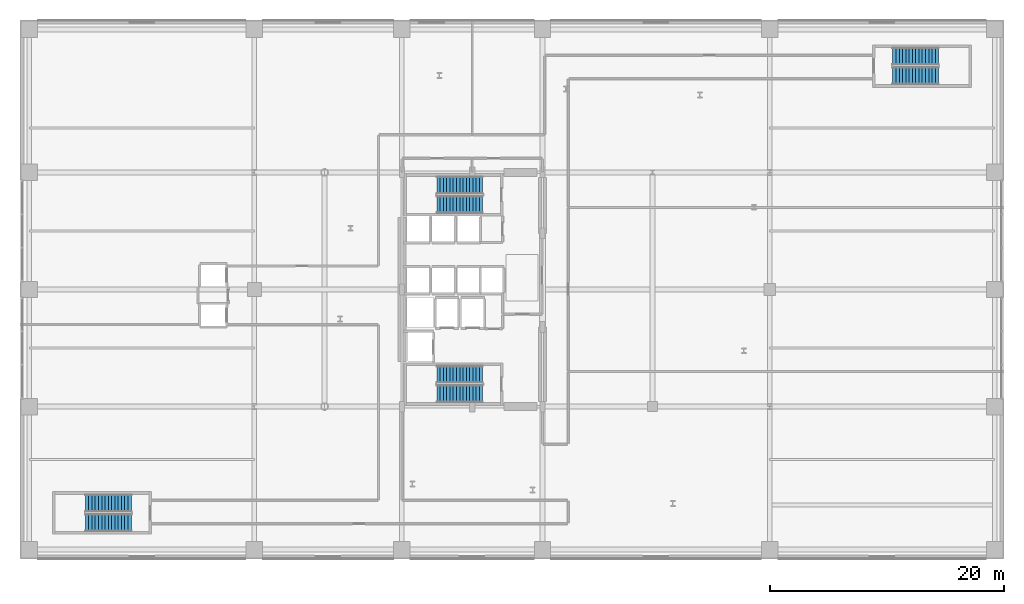
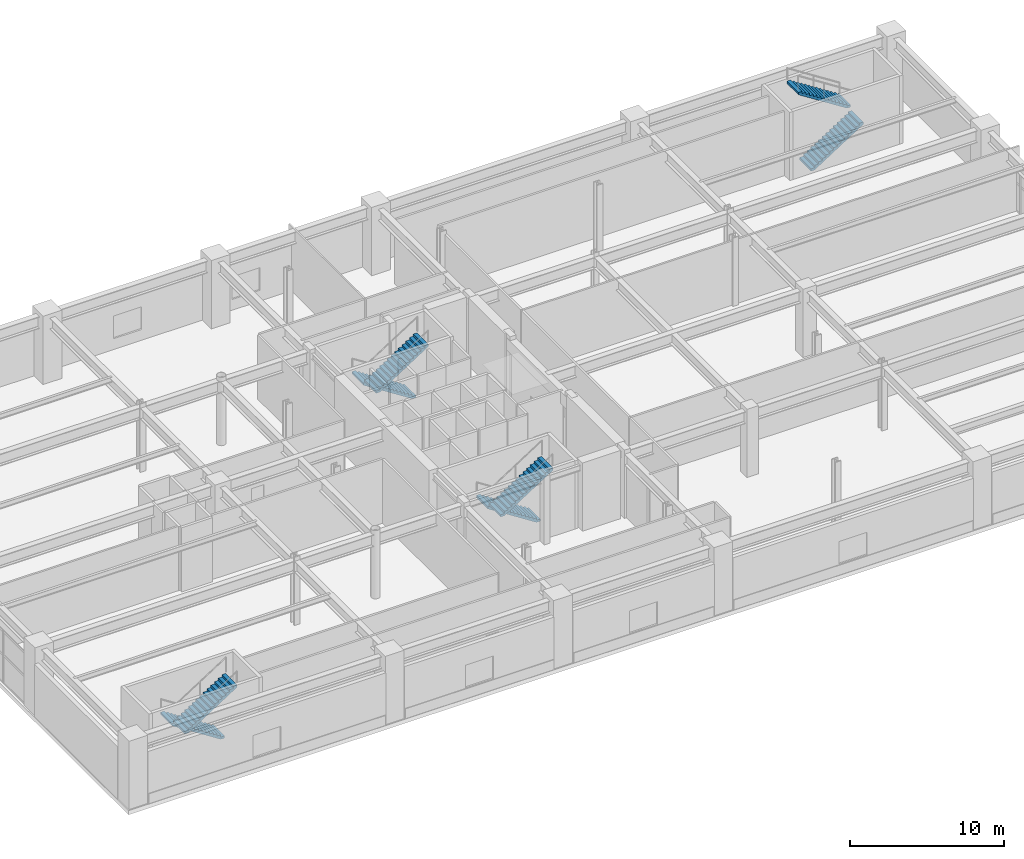
# One storey, part 23 of 28: 8 stair flights, 4 elements without a shape of their own.
"""IFC4 building model written with IfcOpenShell, lengths in metres."""

import ifcopenshell
import ifcopenshell.guid

model = None  # the IFC model being written
_history = None  # IfcOwnerHistory: only IFC2X3 demands one
_inside = {}  # id of a spatial element -> (the spatial element, [elements in it])
_under = {}  # id of a project, library or spatial element -> (it, [spatial elements below it])
_declared = {}  # id of a project -> (the project, [libraries it declares])
_typed = {}  # id of a type object -> (the type object, [elements of that type])
_made_of = {}  # id of a material, layer set ... -> (it, [elements and type objects made of it])


def new_model(schema):
    """Start an empty IFC model of exactly this schema.

    Asked for "IFC4X3", IfcOpenShell would pick the latest addendum, in which some entities
    have other attributes; the version numbers below select the first issue.
    IFC2X3 requires an IfcOwnerHistory on every rooted entity: one is made here for all.
    """
    global model, _history
    if schema == "IFC4X3":
        model = ifcopenshell.file(schema_version=(4, 3, 0, 0))
    else:
        model = ifcopenshell.file(schema=schema)
    _inside.clear()
    _under.clear()
    _declared.clear()
    _typed.clear()
    _made_of.clear()
    _history = None
    if model.schema == "IFC2X3":
        org = make("IfcOrganization", Name="unknown")
        user = make(
            "IfcPersonAndOrganization",
            ThePerson=make("IfcPerson", FamilyName="unknown"),
            TheOrganization=org,
        )
        app = make(
            "IfcApplication",
            ApplicationDeveloper=org,
            Version="unknown",
            ApplicationFullName="unknown",
            ApplicationIdentifier="unknown",
        )
        _history = make(
            "IfcOwnerHistory",
            OwningUser=user,
            OwningApplication=app,
            ChangeAction="ADDED",
            CreationDate=0,
        )
    return model


def make(cls, **values):
    """One entity of the class cls with the attributes given. An attribute that is None is left unset."""
    return model.create_entity(
        cls, **{name: value for name, value in values.items() if value is not None}
    )


def rooted(cls, **values):
    """An entity with a GlobalId (a new one), such as an element, a storey or a relation."""
    return make(cls, GlobalId=ifcopenshell.guid.new(), OwnerHistory=_history, **values)


def si_unit(unit_type, name, prefix=None):
    """IfcSIUnit, for example si_unit("LENGTHUNIT", "METRE", prefix="MILLI")."""
    return make("IfcSIUnit", UnitType=unit_type, Prefix=prefix, Name=name)


def assignment(units):
    """IfcUnitAssignment: the units of a project."""
    return None if units is None else make("IfcUnitAssignment", Units=units)


def point(xyz):
    """IfcCartesianPoint."""
    return None if xyz is None else make("IfcCartesianPoint", Coordinates=xyz)


def direction(xyz):
    """IfcDirection."""
    return None if xyz is None else make("IfcDirection", DirectionRatios=xyz)


def frame(location, z_axis=None, x_axis=None):
    """IfcAxis2Placement3D, a coordinate frame: its origin and axes. An axis left out is left unset."""
    return make(
        "IfcAxis2Placement3D",
        Location=point(location),
        Axis=direction(z_axis),
        RefDirection=direction(x_axis),
    )


def origin():
    """The frame at (0, 0, 0) with its axes left unset."""
    return frame((0.0, 0.0, 0.0))


def place(relative_to, where):
    """IfcLocalPlacement: puts the frame where relative to a parent placement (None: the world)."""
    return make(
        "IfcLocalPlacement", PlacementRelTo=relative_to, RelativePlacement=where
    )


def context(
    kind, dimensions, precision=None, world=None, true_north=None, identifier=None
):
    """IfcGeometricRepresentationContext, for example the 3D "Model" context."""
    return make(
        "IfcGeometricRepresentationContext",
        ContextIdentifier=identifier,
        ContextType=kind,
        CoordinateSpaceDimension=dimensions,
        Precision=precision,
        WorldCoordinateSystem=world,
        TrueNorth=true_north,
    )


def subcontext(parent, identifier, kind, view, scale=None):
    """IfcGeometricRepresentationSubContext, for example "Body" below "Model"."""
    return make(
        "IfcGeometricRepresentationSubContext",
        ContextIdentifier=identifier,
        ContextType=kind,
        ParentContext=parent,
        TargetScale=scale,
        TargetView=view,
    )


def project(units=None, contexts=None):
    """IfcProject with its units and contexts."""
    return rooted(
        "IfcProject",
        Name="project",
        RepresentationContexts=contexts,
        UnitsInContext=assignment(units),
    )


def spatial(cls, under=None, at=None, **own):
    """A site, building, storey or space (cls), placed at a placement, below another one or the project."""
    s = rooted(cls, ObjectPlacement=at, **own)
    if under is not None:
        _under.setdefault(under.id(), (under, []))[1].append(s)
    return s


def polyline(points):
    """IfcPolyline through the points."""
    return make("IfcPolyline", Points=[point(p) for p in points])


def outline(outer, holes=None, kind="AREA"):
    """IfcArbitraryClosedProfileDef: a profile drawn as a closed curve; with holes, ...WithVoids."""
    if holes is None:
        return make("IfcArbitraryClosedProfileDef", ProfileType=kind, OuterCurve=outer)
    return make(
        "IfcArbitraryProfileDefWithVoids",
        ProfileType=kind,
        OuterCurve=outer,
        InnerCurves=holes,
    )


def extrude(swept, where, along, depth):
    """IfcExtrudedAreaSolid: the profile swept, set in the frame where, extruded along a direction by depth."""
    return make(
        "IfcExtrudedAreaSolid",
        SweptArea=swept,
        Position=where,
        ExtrudedDirection=direction(along),
        Depth=depth,
    )


def shape(context_of_items, identifier, shape_type, items):
    """IfcShapeRepresentation: the items that make up one representation, for example the "Body"."""
    return make(
        "IfcShapeRepresentation",
        ContextOfItems=context_of_items,
        RepresentationIdentifier=identifier,
        RepresentationType=shape_type,
        Items=items,
    )


def material(Name=None, Category=None):
    """IfcMaterial."""
    return make("IfcMaterial", Name=Name, Category=Category)


def layer(
    of_material, thickness, ventilated=None, Name=None, Category=None, Priority=None
):
    """IfcMaterialLayer: one layer of a wall or slab, of a material (None: an air gap)."""
    return make(
        "IfcMaterialLayer",
        Material=of_material,
        LayerThickness=thickness,
        IsVentilated=ventilated,
        Name=Name,
        Category=Category,
        Priority=Priority,
    )


def layer_set(layers, Name=None):
    """IfcMaterialLayerSet."""
    return make("IfcMaterialLayerSet", MaterialLayers=layers, LayerSetName=Name)


def made_of(thing, what):
    """Note that an element or type object is made of a material, layer set ...; save() writes the relation."""
    if what is not None:
        _made_of.setdefault(what.id(), (what, []))[1].append(thing)
    return thing


def type_object(cls, material=None, **own):
    """A type object (cls), such as IfcWallType, which elements share."""
    return made_of(rooted(cls, **own), material)


def element(
    cls,
    number,
    at=None,
    inside=None,
    cuts=None,
    type_object=None,
    material=None,
    context=None,
    identifier="Body",
    shape_type=None,
    held_by="IfcProductDefinitionShape",
    body=None,
    shapes=None,
    **own,
):
    """One element of the class cls, such as IfcWall. Its Tag is "e" and its number.

    at: its placement. inside: the storey or other place that contains it. cuts: it is an
    opening in that element (IfcRelVoidsElement). A single representation is given by context,
    identifier, shape_type and body (its items); several are given by shapes. held_by: the class
    of the entity that holds the representations. save() writes the other relations.
    """
    e = rooted(cls, Tag="e%d" % number, ObjectPlacement=at, **own)
    if body is not None:
        shapes = [shape(context, identifier, shape_type, body)]
    if shapes is not None:
        e.Representation = make(held_by, Representations=shapes)
    if inside is not None:
        _inside.setdefault(inside.id(), (inside, []))[1].append(e)
    if cuts is not None:
        rooted(
            "IfcRelVoidsElement", RelatingBuildingElement=cuts, RelatedOpeningElement=e
        )
    if type_object is not None:
        _typed.setdefault(type_object.id(), (type_object, []))[1].append(e)
    return made_of(e, material)


def aggregate(whole, parts):
    """IfcRelAggregates: a whole, such as a stair, and the parts it consists of."""
    return rooted("IfcRelAggregates", RelatingObject=whole, RelatedObjects=parts)


def save(model, path):
    """Write the relations noted so far, then the file.

    IfcRelAggregates (storeys below a building ...), IfcRelContainedInSpatialStructure (elements
    in a storey), IfcRelDefinesByType, IfcRelAssociatesMaterial and IfcRelDeclares: one each for
    every whole, place, type object, material and project.
    """
    for whole, parts in _under.values():
        aggregate(whole, parts)
    for where, things in _inside.values():
        rooted(
            "IfcRelContainedInSpatialStructure",
            RelatedElements=things,
            RelatingStructure=where,
        )
    for kind, things in _typed.values():
        rooted("IfcRelDefinesByType", RelatedObjects=things, RelatingType=kind)
    for what, things in _made_of.values():
        rooted("IfcRelAssociatesMaterial", RelatedObjects=things, RelatingMaterial=what)
    for by, libraries in _declared.values():
        rooted("IfcRelDeclares", RelatingContext=by, RelatedDefinitions=libraries)
    model.write(path)


model = new_model("IFC4")

# Units and contexts
model_context = context("Model", 3, precision=1e-05, world=origin(), true_north=direction((0.0, 1.0)))
body_context = subcontext(model_context, "Body", "Model", "MODEL_VIEW")
ifc_project = project(units=[si_unit("LENGTHUNIT", "METRE"), si_unit("AREAUNIT", "SQUARE_METRE"), si_unit("VOLUMEUNIT", "CUBIC_METRE"), si_unit("PLANEANGLEUNIT", "RADIAN"), si_unit("MASSUNIT", "GRAM", prefix="KILO")], contexts=[model_context])

# Site, building, storey
site_placement = place(None, origin())
site = spatial("IfcSite", under=ifc_project, at=site_placement, CompositionType="ELEMENT")
building_placement = place(site_placement, origin())
building = spatial("IfcBuilding", under=site, at=building_placement, Name="Soratama Intermodal Tower", CompositionType="ELEMENT")
storey_placement = place(building_placement, frame((0.0, 0.0, 6.0)))
storey = spatial("IfcBuildingStorey", under=building, at=storey_placement, Name="L01", CompositionType="ELEMENT", Elevation=6.0)

# Stair, stair flights
ifc_material_1 = material(Name="Concrete f'c 42 MPa", Category="concrete")
stair_type = type_object("IfcStairType", Name="ST-CORE-DOGLEG", PredefinedType="HALF_TURN_STAIR", material=ifc_material_1)
stair_1_placement = place(storey_placement, origin())
stair_1 = element("IfcStair", 1, at=stair_1_placement, inside=storey, type_object=stair_type, Name="L01 ST-1", PredefinedType="HALF_TURN_STAIR")
ifc_material_2 = material(Name="Precast concrete f'c 40 MPa", Category="concrete")
ifc_layer = layer(ifc_material_2, 0.199951171875)
ifc_layer_set = layer_set([ifc_layer], Name="Precast concrete f'c 40 MPa")
stair_flight_type = type_object("IfcStairFlightType", Name="SF-FLIGHT-RC", PredefinedType="STRAIGHT", material=ifc_layer_set)
stair_flight_1_placement = place(storey_placement, frame((39.5, 17.75, 0.0), z_axis=(0.0, 0.0, 1.0), x_axis=(-1.0, 0.0, 0.0)))
stair_flight_1 = element("IfcStairFlight", 2, at=stair_flight_1_placement, type_object=stair_flight_type, Name="ST-1 flight 1", NumberOfRisers=15, NumberOfTreads=14, PredefinedType="STRAIGHT", RiserHeight=0.18, TreadLength=0.28, context=body_context, shape_type="SweptSolid", body=[
    extrude(outline(polyline([(0.0, 0.0), (0.0, 0.179931640625), (0.280029296875, 0.179931640625), (0.280029296875, 0.360107421875), (0.56005859375, 0.360107421875), (0.56005859375, 0.5400390625), (0.840087890625, 0.5400390625), (0.840087890625, 0.719970703125), (1.1201171875, 0.719970703125), (1.1201171875, 0.89990234375), (1.39990234375, 0.89990234375), (1.39990234375, 1.080078125), (1.679931640625, 1.080078125), (1.679931640625, 1.260009765625), (1.9599609375, 1.260009765625), (1.9599609375, 1.43994140625), (2.239990234375, 1.43994140625), (2.239990234375, 1.6201171875), (2.52001953125, 1.6201171875), (2.52001953125, 1.800048828125), (2.800048828125, 1.800048828125), (2.800048828125, 1.97998046875), (3.080078125, 1.97998046875), (3.080078125, 2.159912109375), (3.360107421875, 2.159912109375), (3.360107421875, 2.340087890625), (3.639892578125, 2.340087890625), (3.639892578125, 2.52001953125), (3.919921875, 2.52001953125), (3.919921875, 2.699951171875), (3.919921875, 2.341796875), (0.277099609375, 0.0), (0.0, 0.0)])), frame((0.0, 0.75, 0.0), z_axis=(0.0, -1.0, 0.0), x_axis=(1.0, 0.0, 0.0)), (0.0, 0.0, 1.0), 1.5),
])
stair_flight_2_placement = place(storey_placement, frame((35.580078125, 16.10009765625, 2.699951171875), z_axis=(0.0, 0.0, 1.0), x_axis=(1.0, 0.0, 0.0)))
stair_flight_2 = element("IfcStairFlight", 3, at=stair_flight_2_placement, type_object=stair_flight_type, Name="ST-1 flight 2", NumberOfRisers=15, NumberOfTreads=14, PredefinedType="STRAIGHT", RiserHeight=0.18, TreadLength=0.28, context=body_context, shape_type="SweptSolid", body=[
    extrude(outline(polyline([(0.0, 0.0), (0.0, 0.179931640625), (0.280029296875, 0.179931640625), (0.280029296875, 0.360107421875), (0.56005859375, 0.360107421875), (0.56005859375, 0.5400390625), (0.840087890625, 0.5400390625), (0.840087890625, 0.719970703125), (1.1201171875, 0.719970703125), (1.1201171875, 0.89990234375), (1.39990234375, 0.89990234375), (1.39990234375, 1.080078125), (1.679931640625, 1.080078125), (1.679931640625, 1.260009765625), (1.9599609375, 1.260009765625), (1.9599609375, 1.43994140625), (2.239990234375, 1.43994140625), (2.239990234375, 1.6201171875), (2.52001953125, 1.6201171875), (2.52001953125, 1.800048828125), (2.800048828125, 1.800048828125), (2.800048828125, 1.97998046875), (3.080078125, 1.97998046875), (3.080078125, 2.159912109375), (3.360107421875, 2.159912109375), (3.360107421875, 2.340087890625), (3.639892578125, 2.340087890625), (3.639892578125, 2.52001953125), (3.919921875, 2.52001953125), (3.919921875, 2.699951171875), (3.919921875, 2.341796875), (0.277099609375, 0.0), (0.0, 0.0)])), frame((0.0, 0.75, 0.0), z_axis=(0.0, -1.0, 0.0), x_axis=(1.0, 0.0, 0.0)), (0.0, 0.0, 1.0), 1.5),
])
aggregate(stair_1, [stair_flight_1, stair_flight_2])

stair_2_placement = place(storey_placement, origin())
stair_2 = element("IfcStair", 4, at=stair_2_placement, inside=storey, type_object=stair_type, Name="L01 ST-2", PredefinedType="HALF_TURN_STAIR")
stair_flight_3_placement = place(storey_placement, frame((39.5, 33.89990234375, 0.0), z_axis=(0.0, 0.0, 1.0), x_axis=(-1.0, 0.0, 0.0)))
stair_flight_3 = element("IfcStairFlight", 5, at=stair_flight_3_placement, type_object=stair_flight_type, Name="ST-2 flight 1", NumberOfRisers=15, NumberOfTreads=14, PredefinedType="STRAIGHT", RiserHeight=0.18, TreadLength=0.28, context=body_context, shape_type="SweptSolid", body=[
    extrude(outline(polyline([(0.0, 0.0), (0.0, 0.179931640625), (0.280029296875, 0.179931640625), (0.280029296875, 0.360107421875), (0.56005859375, 0.360107421875), (0.56005859375, 0.5400390625), (0.840087890625, 0.5400390625), (0.840087890625, 0.719970703125), (1.1201171875, 0.719970703125), (1.1201171875, 0.89990234375), (1.39990234375, 0.89990234375), (1.39990234375, 1.080078125), (1.679931640625, 1.080078125), (1.679931640625, 1.260009765625), (1.9599609375, 1.260009765625), (1.9599609375, 1.43994140625), (2.239990234375, 1.43994140625), (2.239990234375, 1.6201171875), (2.52001953125, 1.6201171875), (2.52001953125, 1.800048828125), (2.800048828125, 1.800048828125), (2.800048828125, 1.97998046875), (3.080078125, 1.97998046875), (3.080078125, 2.159912109375), (3.360107421875, 2.159912109375), (3.360107421875, 2.340087890625), (3.639892578125, 2.340087890625), (3.639892578125, 2.52001953125), (3.919921875, 2.52001953125), (3.919921875, 2.699951171875), (3.919921875, 2.341796875), (0.277099609375, 0.0), (0.0, 0.0)])), frame((0.0, 0.75, 0.0), z_axis=(0.0, -1.0, 0.0), x_axis=(1.0, 0.0, 0.0)), (0.0, 0.0, 1.0), 1.5),
])
stair_flight_4_placement = place(storey_placement, frame((35.580078125, 32.25, 2.699951171875), z_axis=(0.0, 0.0, 1.0), x_axis=(1.0, 0.0, 0.0)))
stair_flight_4 = element("IfcStairFlight", 6, at=stair_flight_4_placement, type_object=stair_flight_type, Name="ST-2 flight 2", NumberOfRisers=15, NumberOfTreads=14, PredefinedType="STRAIGHT", RiserHeight=0.18, TreadLength=0.28, context=body_context, shape_type="SweptSolid", body=[
    extrude(outline(polyline([(0.0, 0.0), (0.0, 0.179931640625), (0.280029296875, 0.179931640625), (0.280029296875, 0.360107421875), (0.56005859375, 0.360107421875), (0.56005859375, 0.5400390625), (0.840087890625, 0.5400390625), (0.840087890625, 0.719970703125), (1.1201171875, 0.719970703125), (1.1201171875, 0.89990234375), (1.39990234375, 0.89990234375), (1.39990234375, 1.080078125), (1.679931640625, 1.080078125), (1.679931640625, 1.260009765625), (1.9599609375, 1.260009765625), (1.9599609375, 1.43994140625), (2.239990234375, 1.43994140625), (2.239990234375, 1.6201171875), (2.52001953125, 1.6201171875), (2.52001953125, 1.800048828125), (2.800048828125, 1.800048828125), (2.800048828125, 1.97998046875), (3.080078125, 1.97998046875), (3.080078125, 2.159912109375), (3.360107421875, 2.159912109375), (3.360107421875, 2.340087890625), (3.639892578125, 2.340087890625), (3.639892578125, 2.52001953125), (3.919921875, 2.52001953125), (3.919921875, 2.699951171875), (3.919921875, 2.341796875), (0.277099609375, 0.0), (0.0, 0.0)])), frame((0.0, 0.75, 0.0), z_axis=(0.0, -1.0, 0.0), x_axis=(1.0, 0.0, 0.0)), (0.0, 0.0, 1.0), 1.5),
])
aggregate(stair_2, [stair_flight_3, stair_flight_4])

stair_3_placement = place(storey_placement, origin())
stair_3 = element("IfcStair", 7, at=stair_3_placement, inside=storey, type_object=stair_type, Name="L01 ST-3", PredefinedType="HALF_TURN_STAIR")
stair_flight_5_placement = place(storey_placement, frame((9.5, 6.75, 0.0), z_axis=(0.0, 0.0, 1.0), x_axis=(-1.0, 0.0, 0.0)))
stair_flight_5 = element("IfcStairFlight", 8, at=stair_flight_5_placement, type_object=stair_flight_type, Name="ST-3 flight 1", NumberOfRisers=15, NumberOfTreads=14, PredefinedType="STRAIGHT", RiserHeight=0.18, TreadLength=0.28, context=body_context, shape_type="SweptSolid", body=[
    extrude(outline(polyline([(0.0, 0.0), (0.0, 0.179931640625), (0.280029296875, 0.179931640625), (0.280029296875, 0.360107421875), (0.56005859375, 0.360107421875), (0.56005859375, 0.5400390625), (0.840087890625, 0.5400390625), (0.840087890625, 0.719970703125), (1.1201171875, 0.719970703125), (1.1201171875, 0.89990234375), (1.39990234375, 0.89990234375), (1.39990234375, 1.080078125), (1.679931640625, 1.080078125), (1.679931640625, 1.260009765625), (1.9599609375, 1.260009765625), (1.9599609375, 1.43994140625), (2.239990234375, 1.43994140625), (2.239990234375, 1.6201171875), (2.52001953125, 1.6201171875), (2.52001953125, 1.800048828125), (2.800048828125, 1.800048828125), (2.800048828125, 1.97998046875), (3.080078125, 1.97998046875), (3.080078125, 2.159912109375), (3.360107421875, 2.159912109375), (3.360107421875, 2.340087890625), (3.639892578125, 2.340087890625), (3.639892578125, 2.52001953125), (3.919921875, 2.52001953125), (3.919921875, 2.699951171875), (3.919921875, 2.341796875), (0.277099609375, 0.0), (0.0, 0.0)])), frame((0.0, 0.75, 0.0), z_axis=(0.0, -1.0, 0.0), x_axis=(1.0, 0.0, 0.0)), (0.0, 0.0, 1.0), 1.5),
])
stair_flight_6_placement = place(storey_placement, frame((5.580078125, 5.10009765625, 2.699951171875), z_axis=(0.0, 0.0, 1.0), x_axis=(1.0, 0.0, 0.0)))
stair_flight_6 = element("IfcStairFlight", 9, at=stair_flight_6_placement, type_object=stair_flight_type, Name="ST-3 flight 2", NumberOfRisers=15, NumberOfTreads=14, PredefinedType="STRAIGHT", RiserHeight=0.18, TreadLength=0.28, context=body_context, shape_type="SweptSolid", body=[
    extrude(outline(polyline([(0.0, 0.0), (0.0, 0.179931640625), (0.280029296875, 0.179931640625), (0.280029296875, 0.360107421875), (0.56005859375, 0.360107421875), (0.56005859375, 0.5400390625), (0.840087890625, 0.5400390625), (0.840087890625, 0.719970703125), (1.1201171875, 0.719970703125), (1.1201171875, 0.89990234375), (1.39990234375, 0.89990234375), (1.39990234375, 1.080078125), (1.679931640625, 1.080078125), (1.679931640625, 1.260009765625), (1.9599609375, 1.260009765625), (1.9599609375, 1.43994140625), (2.239990234375, 1.43994140625), (2.239990234375, 1.6201171875), (2.52001953125, 1.6201171875), (2.52001953125, 1.800048828125), (2.800048828125, 1.800048828125), (2.800048828125, 1.97998046875), (3.080078125, 1.97998046875), (3.080078125, 2.159912109375), (3.360107421875, 2.159912109375), (3.360107421875, 2.340087890625), (3.639892578125, 2.340087890625), (3.639892578125, 2.52001953125), (3.919921875, 2.52001953125), (3.919921875, 2.699951171875), (3.919921875, 2.341796875), (0.277099609375, 0.0), (0.0, 0.0)])), frame((0.0, 0.75, 0.0), z_axis=(0.0, -1.0, 0.0), x_axis=(1.0, 0.0, 0.0)), (0.0, 0.0, 1.0), 1.5),
])
aggregate(stair_3, [stair_flight_5, stair_flight_6])

stair_4_placement = place(storey_placement, origin())
stair_4 = element("IfcStair", 10, at=stair_4_placement, inside=storey, type_object=stair_type, Name="L01 ST-4", PredefinedType="HALF_TURN_STAIR")
stair_flight_7_placement = place(storey_placement, frame((74.5, 43.25, 0.0), z_axis=(0.0, 0.0, 1.0), x_axis=(1.0, 0.0, 0.0)))
stair_flight_7 = element("IfcStairFlight", 11, at=stair_flight_7_placement, type_object=stair_flight_type, Name="ST-4 flight 1", NumberOfRisers=15, NumberOfTreads=14, PredefinedType="STRAIGHT", RiserHeight=0.18, TreadLength=0.28, context=body_context, shape_type="SweptSolid", body=[
    extrude(outline(polyline([(0.0, 0.0), (0.0, 0.179931640625), (0.280029296875, 0.179931640625), (0.280029296875, 0.360107421875), (0.56005859375, 0.360107421875), (0.56005859375, 0.5400390625), (0.840087890625, 0.5400390625), (0.840087890625, 0.719970703125), (1.1201171875, 0.719970703125), (1.1201171875, 0.89990234375), (1.39990234375, 0.89990234375), (1.39990234375, 1.080078125), (1.679931640625, 1.080078125), (1.679931640625, 1.260009765625), (1.9599609375, 1.260009765625), (1.9599609375, 1.43994140625), (2.239990234375, 1.43994140625), (2.239990234375, 1.6201171875), (2.52001953125, 1.6201171875), (2.52001953125, 1.800048828125), (2.800048828125, 1.800048828125), (2.800048828125, 1.97998046875), (3.080078125, 1.97998046875), (3.080078125, 2.159912109375), (3.360107421875, 2.159912109375), (3.360107421875, 2.340087890625), (3.639892578125, 2.340087890625), (3.639892578125, 2.52001953125), (3.919921875, 2.52001953125), (3.919921875, 2.699951171875), (3.919921875, 2.341796875), (0.277099609375, 0.0), (0.0, 0.0)])), frame((0.0, 0.75, 0.0), z_axis=(0.0, -1.0, 0.0), x_axis=(1.0, 0.0, 0.0)), (0.0, 0.0, 1.0), 1.5),
])
stair_flight_8_placement = place(storey_placement, frame((78.419921875, 44.89990234375, 2.699951171875), z_axis=(0.0, 0.0, 1.0), x_axis=(-1.0, 0.0, 0.0)))
stair_flight_8 = element("IfcStairFlight", 12, at=stair_flight_8_placement, type_object=stair_flight_type, Name="ST-4 flight 2", NumberOfRisers=15, NumberOfTreads=14, PredefinedType="STRAIGHT", RiserHeight=0.18, TreadLength=0.28, context=body_context, shape_type="SweptSolid", body=[
    extrude(outline(polyline([(0.0, 0.0), (0.0, 0.179931640625), (0.280029296875, 0.179931640625), (0.280029296875, 0.360107421875), (0.56005859375, 0.360107421875), (0.56005859375, 0.5400390625), (0.840087890625, 0.5400390625), (0.840087890625, 0.719970703125), (1.1201171875, 0.719970703125), (1.1201171875, 0.89990234375), (1.39990234375, 0.89990234375), (1.39990234375, 1.080078125), (1.679931640625, 1.080078125), (1.679931640625, 1.260009765625), (1.9599609375, 1.260009765625), (1.9599609375, 1.43994140625), (2.239990234375, 1.43994140625), (2.239990234375, 1.6201171875), (2.52001953125, 1.6201171875), (2.52001953125, 1.800048828125), (2.800048828125, 1.800048828125), (2.800048828125, 1.97998046875), (3.080078125, 1.97998046875), (3.080078125, 2.159912109375), (3.360107421875, 2.159912109375), (3.360107421875, 2.340087890625), (3.639892578125, 2.340087890625), (3.639892578125, 2.52001953125), (3.919921875, 2.52001953125), (3.919921875, 2.699951171875), (3.919921875, 2.341796875), (0.277099609375, 0.0), (0.0, 0.0)])), frame((0.0, 0.75, 0.0), z_axis=(0.0, -1.0, 0.0), x_axis=(1.0, 0.0, 0.0)), (0.0, 0.0, 1.0), 1.5),
])
aggregate(stair_4, [stair_flight_7, stair_flight_8])

save(model, "model.ifc")
